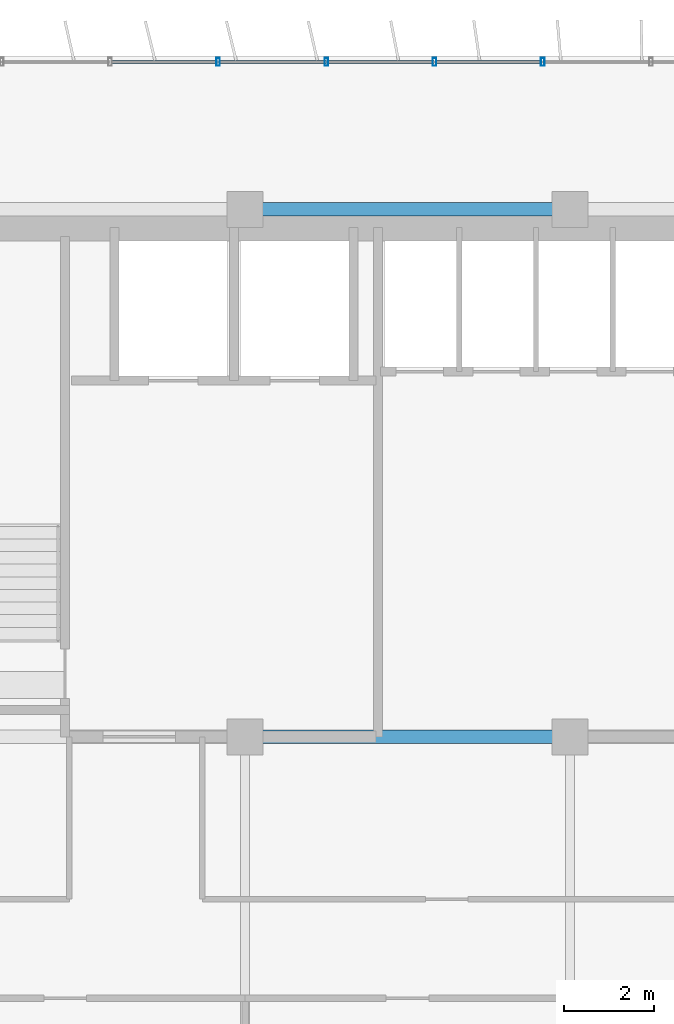
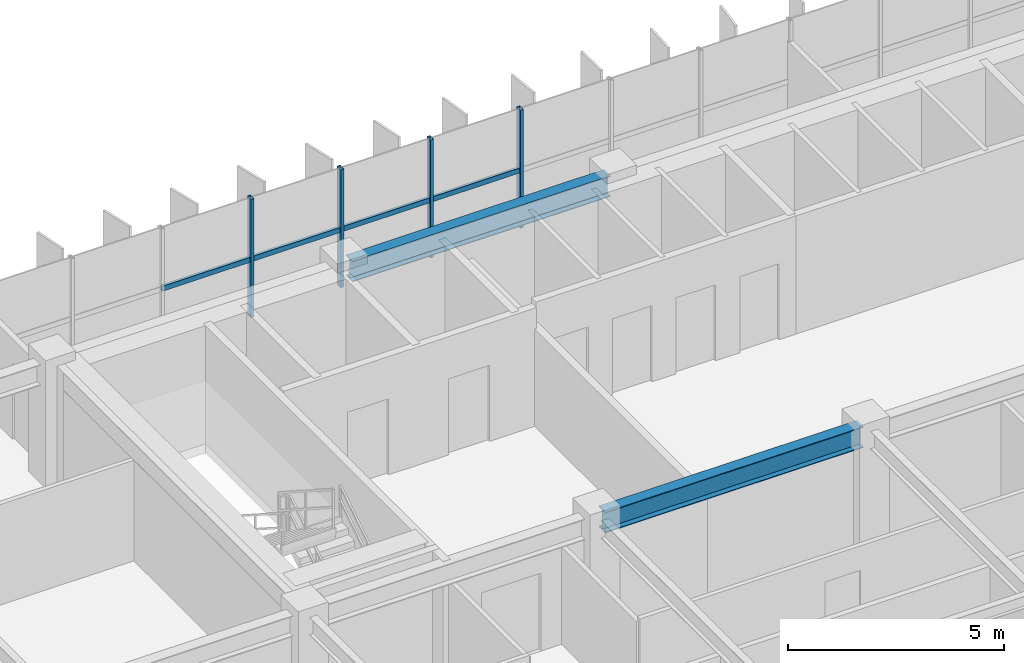
# One storey, part 6 of 22: 8 members, 2 beams, 1 element without a shape of its own.
"""IFC4 building model written with IfcOpenShell, lengths in metres."""

from ifc_helpers import new_model, si_unit, direction, frame, origin, origin_2d, place, context, subcontext, project, spatial, hollow_rectangle, i_section, extrude, source, transform, mapped, material, material_profile, profile_set, type_object, element, aggregate, save


model = new_model("IFC4")

# Units and contexts
model_context = context("Model", 3, precision=1e-05, world=origin(), true_north=direction((0.0, 1.0)))
body_context = subcontext(model_context, "Body", "Model", "MODEL_VIEW")
ifc_project = project(units=[si_unit("LENGTHUNIT", "METRE"), si_unit("AREAUNIT", "SQUARE_METRE"), si_unit("VOLUMEUNIT", "CUBIC_METRE"), si_unit("PLANEANGLEUNIT", "RADIAN"), si_unit("MASSUNIT", "GRAM", prefix="KILO")], contexts=[model_context])

# Site, building, storey
site_placement = place(None, origin())
site = spatial("IfcSite", under=ifc_project, at=site_placement, CompositionType="ELEMENT")
building_placement = place(site_placement, origin())
building = spatial("IfcBuilding", under=site, at=building_placement, Name="Trelvane Seafront Commons", CompositionType="ELEMENT")
storey_placement = place(building_placement, frame((0.0, 0.0, 88.89990234375)))
storey = spatial("IfcBuildingStorey", under=building, at=storey_placement, Name="L22", CompositionType="ELEMENT", Elevation=88.89990234375)

# Beams
ifc_material_1 = material(Name="Steel SM355 (S355)", Category="steel")
ifc_material_profile_1 = material_profile(ifc_material_1, i_section(OverallWidth=0.300048828125, OverallDepth=0.587890625, WebThickness=0.011962890625, FlangeThickness=0.02001953125, at=origin_2d()), Name="H-588x300x12x20")
ifc_profile_set_1 = profile_set([ifc_material_profile_1], Name="Steel SM355 (S355)")
beam_type = type_object("IfcBeamType", Name="STR-BM-H588", PredefinedType="BEAM", material=ifc_profile_set_1)
shared_shape_1 = source(origin(), body_context, "Body", "SweptSolid", [
    extrude(i_section(OverallWidth=0.300048828125, OverallDepth=0.587890625, WebThickness=0.011962890625, FlangeThickness=0.02001953125, at=origin_2d()), origin(), (0.0, 0.0, 1.0), 6.89990234375),
])
for number, where, z_axis, x_axis, name in (
    (1, (23.550048828125, 33.39990234375, 3.046142578125), (1.0, 0.0, 0.0), (0.0, 1.0, 0.0), "L22 Primary Girder G-22"),
    (2, (23.550048828125, 45.10009765625, 3.046142578125), (1.0, 0.0, 0.0), (0.0, 1.0, 0.0), "L22 Primary Girder G-31"),
):
    element("IfcBeam", number, at=place(storey_placement, frame(where, z_axis=z_axis, x_axis=x_axis)), inside=storey, type_object=beam_type, Name=name, PredefinedType="BEAM", context=body_context, shape_type="MappedRepresentation", body=[
        mapped(shared_shape_1, transform((0.0, 0.0, 0.0), x_axis=(1.0, 0.0, 0.0), y_axis=(0.0, 1.0, 0.0), z_axis=(0.0, 0.0, 1.0), scale=1.0)),
    ])

# Curtain wall, members
ifc_material_2 = material(Name="Anodised pale-silver aluminium", Category="aluminium")
curtain_wall_type = type_object("IfcCurtainWallType", Name="ARCH-CW4-SKYLOBBY", PredefinedType="NOTDEFINED", material=ifc_material_2)
curtain_wall_placement = place(storey_placement, origin())
curtain_wall = element("IfcCurtainWall", 3, at=curtain_wall_placement, inside=storey, type_object=curtain_wall_type, Name="CW-L22-0047", PredefinedType="NOTDEFINED")
ifc_material_profile_2 = material_profile(ifc_material_2, hollow_rectangle(XDim=0.074951171875, YDim=0.139892578125, WallThickness=0.00390625, at=origin_2d()), Name="TRAN-75x140x4")
ifc_profile_set_2 = profile_set([ifc_material_profile_2], Name="Anodised pale-silver aluminium")
member_type_1 = type_object("IfcMemberType", Name="ARCH-CW-TRAN-140", PredefinedType="USERDEFINED", material=ifc_profile_set_2)
shared_shape_2 = source(origin(), body_context, "Body", "SweptSolid", [
    extrude(hollow_rectangle(XDim=0.074951171875, YDim=0.139892578125, WallThickness=0.00390625, at=origin_2d()), origin(), (0.0, 0.0, 1.0), 2.3759765625),
])
member_1_placement = place(storey_placement, frame((20.412109375, 48.3701171875, 1.60302734375), z_axis=(1.0, 0.0, 0.0), x_axis=(0.0, 1.0, 0.0)))
member_1 = element("IfcMember", 4, at=member_1_placement, type_object=member_type_1, Name="CW-L22-0047-T02", ObjectType="TRANSOM", PredefinedType="USERDEFINED", context=body_context, shape_type="MappedRepresentation", body=[
    mapped(shared_shape_2, transform((0.0, 0.0, 0.0), x_axis=(1.0, 0.0, 0.0), y_axis=(0.0, 1.0, 0.0), z_axis=(0.0, 0.0, 1.0), scale=1.0)),
])
member_2_placement = place(storey_placement, frame((22.81201171875, 48.3701171875, 1.60302734375), z_axis=(1.0, 0.0, 0.0), x_axis=(0.0, 1.0, 0.0)))
member_2 = element("IfcMember", 5, at=member_2_placement, type_object=member_type_1, Name="CW-L22-0047-T03", ObjectType="TRANSOM", PredefinedType="USERDEFINED", context=body_context, shape_type="MappedRepresentation", body=[
    mapped(shared_shape_2, transform((0.0, 0.0, 0.0), x_axis=(1.0, 0.0, 0.0), y_axis=(0.0, 1.0, 0.0), z_axis=(0.0, 0.0, 1.0), scale=1.0)),
])
member_3_placement = place(storey_placement, frame((25.2119140625, 48.3701171875, 1.60302734375), z_axis=(1.0, 0.0, 0.0), x_axis=(0.0, 1.0, 0.0)))
member_3 = element("IfcMember", 6, at=member_3_placement, type_object=member_type_1, Name="CW-L22-0047-T04", ObjectType="TRANSOM", PredefinedType="USERDEFINED", context=body_context, shape_type="MappedRepresentation", body=[
    mapped(shared_shape_2, transform((0.0, 0.0, 0.0), x_axis=(1.0, 0.0, 0.0), y_axis=(0.0, 1.0, 0.0), z_axis=(0.0, 0.0, 1.0), scale=1.0)),
])
member_4_placement = place(storey_placement, frame((27.612060546875, 48.3701171875, 1.60302734375), z_axis=(1.0, 0.0, 0.0), x_axis=(0.0, 1.0, 0.0)))
member_4 = element("IfcMember", 7, at=member_4_placement, type_object=member_type_1, Name="CW-L22-0047-T05", ObjectType="TRANSOM", PredefinedType="USERDEFINED", context=body_context, shape_type="MappedRepresentation", body=[
    mapped(shared_shape_2, transform((0.0, 0.0, 0.0), x_axis=(1.0, 0.0, 0.0), y_axis=(0.0, 1.0, 0.0), z_axis=(0.0, 0.0, 1.0), scale=1.0)),
])
ifc_material_profile_3 = material_profile(ifc_material_2, hollow_rectangle(XDim=0.080078125, YDim=0.179931640625, WallThickness=0.00439453125, at=origin_2d()), Name="MULL-80x180x4.5")
ifc_profile_set_3 = profile_set([ifc_material_profile_3], Name="Anodised pale-silver aluminium")
member_type_2 = type_object("IfcMemberType", Name="ARCH-CW-MULL-180", PredefinedType="MULLION", material=ifc_profile_set_3)
shared_shape_3 = source(origin(), body_context, "Body", "SweptSolid", [
    extrude(hollow_rectangle(XDim=0.080078125, YDim=0.179931640625, WallThickness=0.00439453125, at=origin_2d()), origin(), (0.0, 0.0, 1.0), 3.340087890625),
])
member_5_placement = place(storey_placement, frame((22.800048828125, 48.3701171875, 0.0), z_axis=(0.0, 0.0, 1.0), x_axis=(1.0, 0.0, 0.0)))
member_5 = element("IfcMember", 8, at=member_5_placement, type_object=member_type_2, Name="CW-L22-0047-M03", PredefinedType="MULLION", context=body_context, shape_type="MappedRepresentation", body=[
    mapped(shared_shape_3, transform((0.0, 0.0, 0.0), x_axis=(1.0, 0.0, 0.0), y_axis=(0.0, 1.0, 0.0), z_axis=(0.0, 0.0, 1.0), scale=1.0)),
])
member_6_placement = place(storey_placement, frame((25.199951171875, 48.3701171875, 0.0), z_axis=(0.0, 0.0, 1.0), x_axis=(1.0, 0.0, 0.0)))
member_6 = element("IfcMember", 9, at=member_6_placement, type_object=member_type_2, Name="CW-L22-0047-M04", PredefinedType="MULLION", context=body_context, shape_type="MappedRepresentation", body=[
    mapped(shared_shape_3, transform((0.0, 0.0, 0.0), x_axis=(1.0, 0.0, 0.0), y_axis=(0.0, 1.0, 0.0), z_axis=(0.0, 0.0, 1.0), scale=1.0)),
])
member_7_placement = place(storey_placement, frame((27.60009765625, 48.3701171875, 0.0), z_axis=(0.0, 0.0, 1.0), x_axis=(1.0, 0.0, 0.0)))
member_7 = element("IfcMember", 10, at=member_7_placement, type_object=member_type_2, Name="CW-L22-0047-M05", PredefinedType="MULLION", context=body_context, shape_type="MappedRepresentation", body=[
    mapped(shared_shape_3, transform((0.0, 0.0, 0.0), x_axis=(1.0, 0.0, 0.0), y_axis=(0.0, 1.0, 0.0), z_axis=(0.0, 0.0, 1.0), scale=1.0)),
])
member_8_placement = place(storey_placement, frame((30.0, 48.3701171875, 0.0), z_axis=(0.0, 0.0, 1.0), x_axis=(1.0, 0.0, 0.0)))
member_8 = element("IfcMember", 11, at=member_8_placement, type_object=member_type_2, Name="CW-L22-0047-M06", PredefinedType="MULLION", context=body_context, shape_type="MappedRepresentation", body=[
    mapped(shared_shape_3, transform((0.0, 0.0, 0.0), x_axis=(1.0, 0.0, 0.0), y_axis=(0.0, 1.0, 0.0), z_axis=(0.0, 0.0, 1.0), scale=1.0)),
])
aggregate(curtain_wall, [member_5, member_6, member_7, member_8, member_1, member_2, member_3, member_4])

save(model, "model.ifc")
